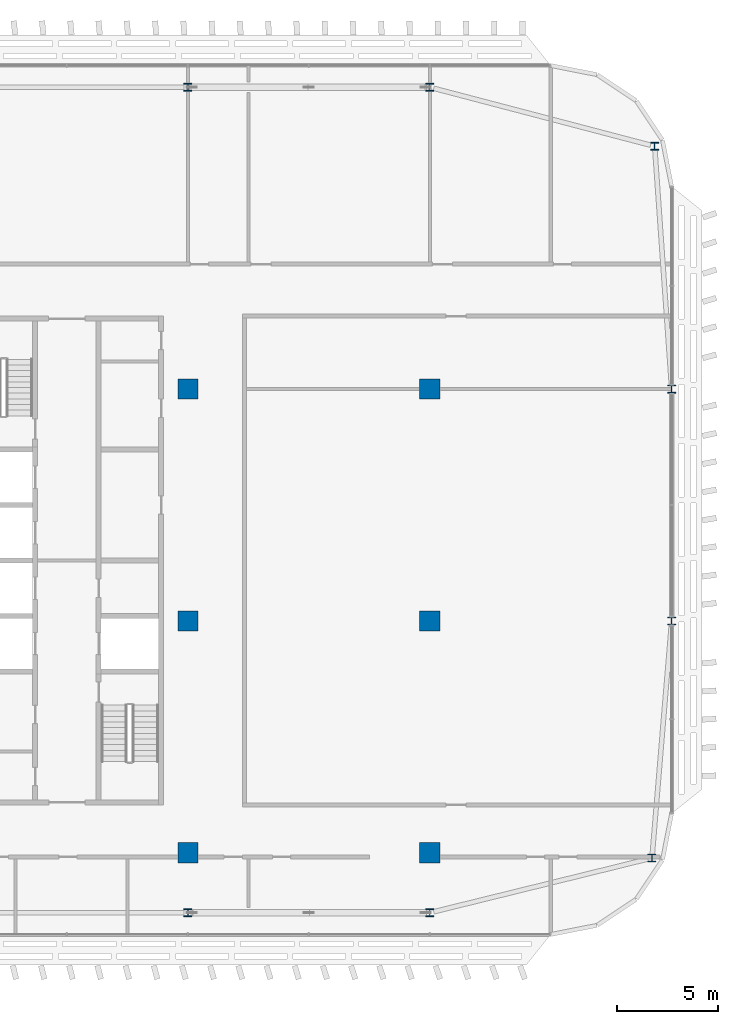
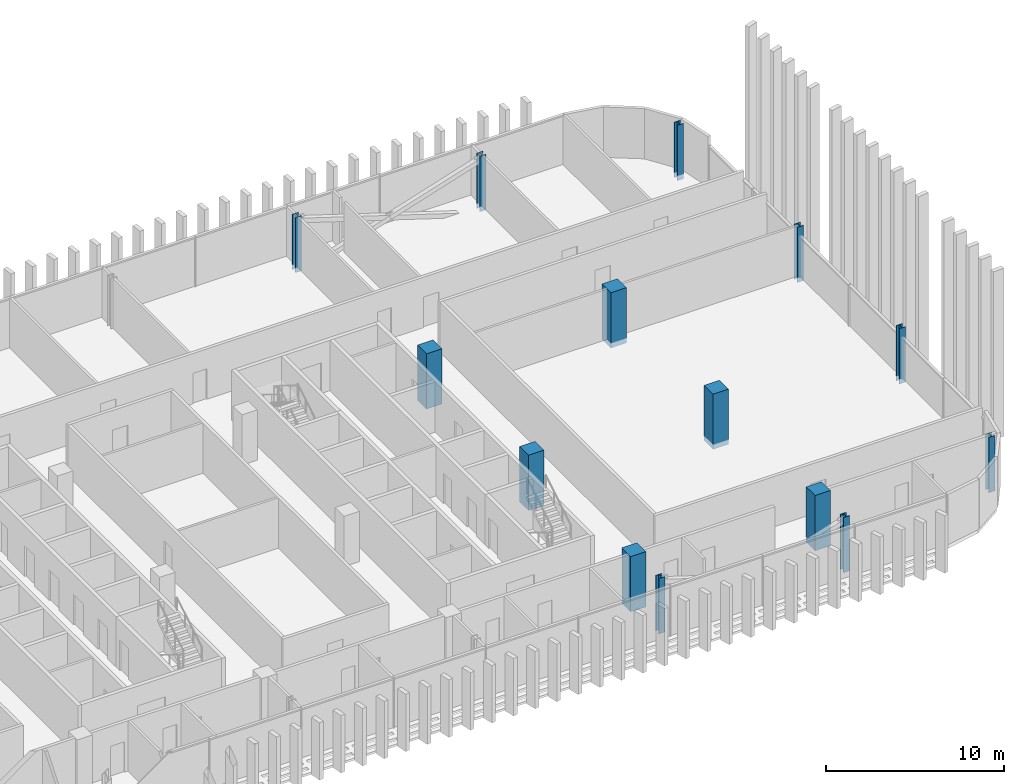
# One storey, part 4 of 32: 14 columns.
"""IFC4 building model written with IfcOpenShell, lengths in metres."""

from ifc_helpers import new_model, si_unit, direction, frame, origin, origin_2d, place, context, subcontext, project, spatial, rectangle, i_section, extrude, material, material_profile, profile_set, type_object, element, save


model = new_model("IFC4")

# Units and contexts
model_context = context("Model", 3, precision=1e-05, world=origin(), true_north=direction((0.0, 1.0)))
body_context = subcontext(model_context, "Body", "Model", "MODEL_VIEW")
ifc_project = project(units=[si_unit("LENGTHUNIT", "METRE"), si_unit("AREAUNIT", "SQUARE_METRE"), si_unit("VOLUMEUNIT", "CUBIC_METRE"), si_unit("PLANEANGLEUNIT", "RADIAN"), si_unit("MASSUNIT", "GRAM", prefix="KILO")], contexts=[model_context])

# Site, building, storey
site_placement = place(None, origin())
site = spatial("IfcSite", under=ifc_project, at=site_placement, CompositionType="ELEMENT")
building_placement = place(site_placement, origin())
building = spatial("IfcBuilding", under=site, at=building_placement, Name="Mahtab Terrace Research Tower", CompositionType="ELEMENT")
storey_placement = place(building_placement, frame((0.0, 0.0, 243.800048828125)))
storey = spatial("IfcBuildingStorey", under=building, at=storey_placement, Name="L59", CompositionType="ELEMENT", Elevation=243.800048828125)

# Columns
ifc_material_1 = material(Name="Concrete C70/85", Category="concrete")
ifc_material_profile_1 = material_profile(ifc_material_1, rectangle(XDim=1.0, YDim=1.0, at=origin_2d()), Name="RC column 1000x1000")
ifc_profile_set_1 = profile_set([ifc_material_profile_1], Name="Concrete C70/85")
column_type_1 = type_object("IfcColumnType", Name="RC column 1000x1000", PredefinedType="COLUMN", material=ifc_profile_set_1)
for number, where, z_axis, x_axis, name in (
    (1, (30.0, -11.5, -0.340087890625), (0.0, 0.0, 1.0), (1.0, 0.0, 0.0), "Column RC-7A L59"),
    (2, (30.0, 0.0, -0.340087890625), (0.0, 0.0, 1.0), (1.0, 0.0, 0.0), "Column RC-7B L59"),
    (3, (30.0, 11.5, -0.340087890625), (0.0, 0.0, 1.0), (1.0, 0.0, 0.0), "Column RC-7C L59"),
    (4, (42.0, -11.5, -0.340087890625), (0.0, 0.0, 1.0), (1.0, 0.0, 0.0), "Column RC-8A L59"),
    (5, (42.0, 0.0, -0.340087890625), (0.0, 0.0, 1.0), (1.0, 0.0, 0.0), "Column RC-8B L59"),
    (6, (42.0, 11.5, -0.340087890625), (0.0, 0.0, 1.0), (1.0, 0.0, 0.0), "Column RC-8C L59"),
):
    element("IfcColumn", number, at=place(storey_placement, frame(where, z_axis=z_axis, x_axis=x_axis)), inside=storey, type_object=column_type_1, Name=name, PredefinedType="COLUMN", context=body_context, shape_type="SweptSolid", body=[
        extrude(rectangle(XDim=1.0, YDim=1.0, at=origin_2d()), origin(), (0.0, 0.0, 1.0), 3.800048828125),
    ])
ifc_material_2 = material(Name="Steel ASTM A992 Gr 50", Category="steel")
ifc_material_profile_2 = material_profile(ifc_material_2, i_section(OverallWidth=0.398681640625, OverallDepth=0.385986328125, WebThickness=0.02099609375, FlangeThickness=0.033203125, at=origin_2d()), Name="W14X176")
ifc_profile_set_2 = profile_set([ifc_material_profile_2], Name="Steel ASTM A992 Gr 50")
column_type_2 = type_object("IfcColumnType", Name="W14x176 column CS14176", PredefinedType="COLUMN", material=ifc_profile_set_2)
for number, where, z_axis, x_axis, name in (
    (7, (53.154052734375, 23.5458984375, -0.340087890625), (0.0, 0.0, 1.0), (1.0, 0.0, 0.0), "Column SC-052 L59"),
    (8, (42.0, 26.472900390625, -0.340087890625), (0.0, 0.0, 1.0), (1.0, 0.0, 0.0), "Column SC-053 L59"),
    (9, (30.0, 26.472900390625, -0.340087890625), (0.0, 0.0, 1.0), (1.0, 0.0, 0.0), "Column SC-054 L59"),
    (10, (30.0, -14.472900390625, -0.340087890625), (0.0, 0.0, 1.0), (1.0, 0.0, 0.0), "Column SC-067 L59"),
    (11, (42.0, -14.472900390625, -0.340087890625), (0.0, 0.0, 1.0), (1.0, 0.0, 0.0), "Column SC-068 L59"),
    (12, (53.02099609375, -11.758056640625, -0.340087890625), (0.0, 0.0, 1.0), (1.0, 0.0, 0.0), "Column SC-069 L59"),
    (13, (54.0, 0.0, -0.340087890625), (0.0, 0.0, 1.0), (1.0, 0.0, 0.0), "Column SC-028 L59"),
    (14, (54.0, 11.5, -0.340087890625), (0.0, 0.0, 1.0), (1.0, 0.0, 0.0), "Column SC-029 L59"),
):
    element("IfcColumn", number, at=place(storey_placement, frame(where, z_axis=z_axis, x_axis=x_axis)), inside=storey, type_object=column_type_2, Name=name, PredefinedType="COLUMN", context=body_context, shape_type="SweptSolid", body=[
        extrude(i_section(OverallWidth=0.398681640625, OverallDepth=0.385986328125, WebThickness=0.02099609375, FlangeThickness=0.033203125, at=origin_2d()), origin(), (0.0, 0.0, 1.0), 3.800048828125),
    ])

save(model, "model.ifc")
